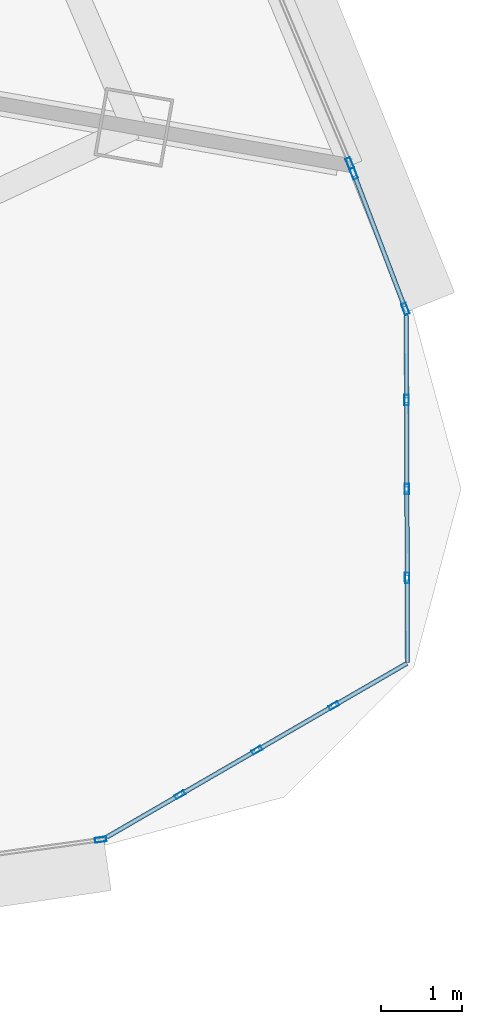
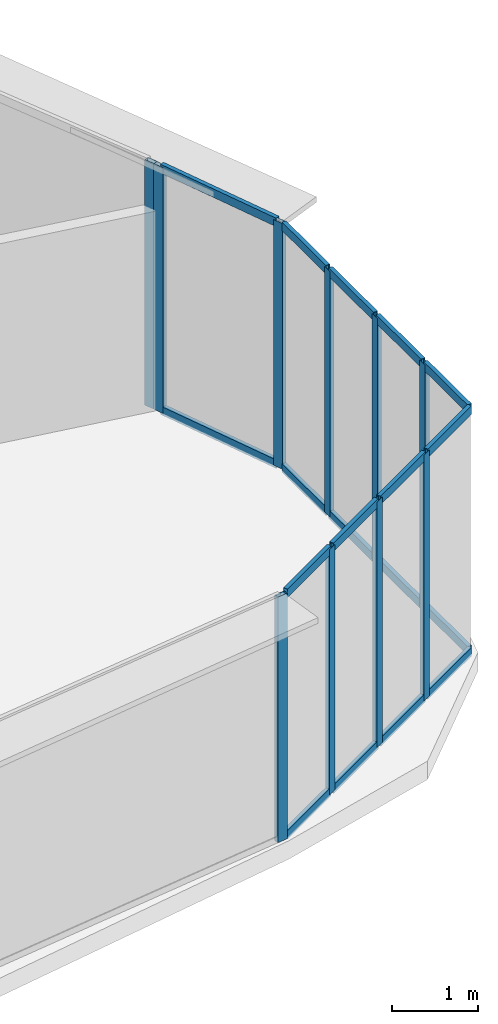
# One storey, part 26 of 36: 28 members, 5 elements without a shape of their own.
"""IFC4 building model written with IfcOpenShell, lengths in metres."""

from ifc_helpers import new_model, si_unit, direction, frame, origin, origin_2d, place, context, subcontext, project, spatial, hollow_rectangle, extrude, source, transform, mapped, material, layer, layer_set, material_profile, profile_set, type_object, element, aggregate, save


model = new_model("IFC4")

# Units and contexts
model_context = context("Model", 3, precision=1e-05, world=origin(), true_north=direction((0.0, 1.0)))
body_context = subcontext(model_context, "Body", "Model", "MODEL_VIEW")
ifc_project = project(units=[si_unit("LENGTHUNIT", "METRE"), si_unit("AREAUNIT", "SQUARE_METRE"), si_unit("VOLUMEUNIT", "CUBIC_METRE"), si_unit("PLANEANGLEUNIT", "RADIAN"), si_unit("MASSUNIT", "GRAM", prefix="KILO"), si_unit("THERMODYNAMICTEMPERATUREUNIT", "KELVIN"), si_unit("POWERUNIT", "WATT")], contexts=[model_context])

# Site, building, storey
site_placement = place(None, origin())
site = spatial("IfcSite", under=ifc_project, at=site_placement, CompositionType="ELEMENT")
building_placement = place(site_placement, origin())
building = spatial("IfcBuilding", under=site, at=building_placement, Name="Yunzhuo Pagoda Commons", CompositionType="ELEMENT")
storey_placement = place(building_placement, frame((0.0, 0.0, 244.530029296875)))
storey = spatial("IfcBuildingStorey", under=building, at=storey_placement, Name="L61", CompositionType="ELEMENT", Elevation=244.530029296875)

# Curtain wall, member
ifc_material = material(Name="Anodized aluminium 6063-T6", Category="aluminium")
ifc_layer_1 = layer(ifc_material, 0.139892578125)
ifc_layer_set_1 = layer_set([ifc_layer_1], Name="Anodized aluminium 6063-T6")
curtain_wall_type_1 = type_object("IfcCurtainWallType", Name="CW-HI High-Zone Ribbon Curtain Wall", PredefinedType="NOTDEFINED", material=ifc_layer_set_1)
curtain_wall_1_placement = place(storey_placement, origin())
curtain_wall_1 = element("IfcCurtainWall", 1, at=curtain_wall_1_placement, inside=storey, type_object=curtain_wall_type_1, Name="L61 curtain wall CW-L61-F1B5", PredefinedType="NOTDEFINED")
ifc_material_profile_1 = material_profile(ifc_material, hollow_rectangle(XDim=0.06005859375, YDim=0.139892578125, WallThickness=0.00341796875, at=origin_2d()), Name="Anodized aluminium 6063-T6")
ifc_profile_set_1 = profile_set([ifc_material_profile_1], Name="Anodized aluminium 6063-T6")
member_type_1 = type_object("IfcMemberType", Name="CW-HI-M Mullion RHS 140x60x3.5", PredefinedType="MULLION", material=ifc_profile_set_1)
shared_shape_1 = source(origin(), body_context, "Body", "SweptSolid", [
    extrude(hollow_rectangle(XDim=0.06005859375, YDim=0.139892578125, WallThickness=0.00341796875, at=origin_2d()), origin(), (0.0, 0.0, 1.0), 3.469970703125),
])
member_1_placement = place(storey_placement, frame((79.5244140625, 19.29833984375, 0.0), z_axis=(0.0, 0.0, 1.0), x_axis=(-0.137250412651, 0.990536382082, 0.0)))
member_1 = element("IfcMember", 2, at=member_1_placement, type_object=member_type_1, Name="CW mullion 2", PredefinedType="MULLION", context=body_context, shape_type="MappedRepresentation", body=[
    mapped(shared_shape_1, transform((0.0, 0.0, 0.0), scale=1.0)),
])
aggregate(curtain_wall_1, [member_1])

curtain_wall_2_placement = place(storey_placement, origin())
curtain_wall_2 = element("IfcCurtainWall", 3, at=curtain_wall_2_placement, inside=storey, type_object=curtain_wall_type_1, Name="L61 curtain wall CW-L61-F2B2", PredefinedType="NOTDEFINED")
member_2_placement = place(storey_placement, frame((82.5927734375, 27.6259765625, 0.0), z_axis=(0.0, 0.0, 1.0), x_axis=(-0.922008372235, -0.387169938824, 0.0)))
member_2 = element("IfcMember", 4, at=member_2_placement, type_object=member_type_1, Name="CW mullion 1", PredefinedType="MULLION", context=body_context, shape_type="MappedRepresentation", body=[
    mapped(shared_shape_1, transform((0.0, 0.0, 0.0), scale=1.0)),
])
aggregate(curtain_wall_2, [member_2])

# Curtain wall, members
curtain_wall_3_placement = place(storey_placement, origin())
curtain_wall_3 = element("IfcCurtainWall", 5, at=curtain_wall_3_placement, inside=storey, type_object=curtain_wall_type_1, Name="L61 curtain wall CW-L61-F2B1", PredefinedType="NOTDEFINED")
member_3_placement = place(storey_placement, frame((83.277099609375, 25.833251953125, 0.0), z_axis=(0.0, 0.0, 1.0), x_axis=(-0.934441330585, -0.356117115139, 0.0)))
member_3 = element("IfcMember", 6, at=member_3_placement, type_object=member_type_1, Name="CW mullion 1", PredefinedType="MULLION", context=body_context, shape_type="MappedRepresentation", body=[
    mapped(shared_shape_1, transform((0.0, 0.0, 0.0), scale=1.0)),
])
member_4_placement = place(storey_placement, frame((82.641845703125, 27.500244140625, 0.0), z_axis=(0.0, 0.0, 1.0), x_axis=(-0.934441330585, -0.356117115139, 0.0)))
member_4 = element("IfcMember", 7, at=member_4_placement, type_object=member_type_1, Name="CW mullion 2", PredefinedType="MULLION", context=body_context, shape_type="MappedRepresentation", body=[
    mapped(shared_shape_1, transform((0.0, 0.0, 0.0), scale=1.0)),
])
ifc_material_profile_2 = material_profile(ifc_material, hollow_rectangle(XDim=0.054931640625, YDim=0.1201171875, WallThickness=0.00341796875, at=origin_2d()), Name="Anodized aluminium 6063-T6")
ifc_profile_set_2 = profile_set([ifc_material_profile_2], Name="Anodized aluminium 6063-T6")
member_type_2 = type_object("IfcMemberType", Name="CW-HI-T Transom RHS 120x55x3.5", PredefinedType="USERDEFINED", material=ifc_profile_set_2)
shared_shape_2 = source(origin(), body_context, "Body", "SweptSolid", [
    extrude(hollow_rectangle(XDim=0.054931640625, YDim=0.1201171875, WallThickness=0.00341796875, at=origin_2d()), origin(), (0.0, 0.0, 1.0), 1.723876953125),
])
member_5_placement = place(storey_placement, frame((83.266357421875, 25.861328125, 0.027587890625), z_axis=(-0.356054221933, 0.934465296864, 0.0), x_axis=(-0.934465296864, -0.356054221933, 0.0)))
member_5 = element("IfcMember", 8, at=member_5_placement, type_object=member_type_2, Name="CW transom 1.1", ObjectType="TRANSOM", PredefinedType="USERDEFINED", context=body_context, shape_type="MappedRepresentation", body=[
    mapped(shared_shape_2, transform((0.0, 0.0, 0.0), scale=1.0)),
])
member_6_placement = place(storey_placement, frame((83.266357421875, 25.861328125, 3.4423828125), z_axis=(-0.356054221933, 0.934465296864, 0.0), x_axis=(-0.934465296864, -0.356054221933, 0.0)))
member_6 = element("IfcMember", 9, at=member_6_placement, type_object=member_type_2, Name="CW transom 1.2", ObjectType="TRANSOM", PredefinedType="USERDEFINED", context=body_context, shape_type="MappedRepresentation", body=[
    mapped(shared_shape_2, transform((0.0, 0.0, 0.0), scale=1.0)),
])
aggregate(curtain_wall_3, [member_3, member_4, member_5, member_6])

ifc_layer_2 = layer(ifc_material, 0.1298828125)
ifc_layer_set_2 = layer_set([ifc_layer_2], Name="Anodized aluminium 6063-T6")
curtain_wall_type_2 = type_object("IfcCurtainWallType", Name="CW-VTX Rounded Corner Curtain Wall", PredefinedType="NOTDEFINED", material=ifc_layer_set_2)
curtain_wall_4_placement = place(storey_placement, origin())
curtain_wall_4 = element("IfcCurtainWall", 10, at=curtain_wall_4_placement, inside=storey, type_object=curtain_wall_type_2, Name="L61 curtain wall CW-L61-VTX2S1", PredefinedType="NOTDEFINED")
ifc_material_profile_3 = material_profile(ifc_material, hollow_rectangle(XDim=0.054931640625, YDim=0.1201171875, WallThickness=0.00341796875, at=origin_2d()), Name="Anodized aluminium 6063-T6")
ifc_profile_set_3 = profile_set([ifc_material_profile_3], Name="Anodized aluminium 6063-T6")
member_type_3 = type_object("IfcMemberType", Name="CW-VTX-T Transom RHS 120x55x3.5", PredefinedType="USERDEFINED", material=ifc_profile_set_3)
shared_shape_3 = source(origin(), body_context, "Body", "SweptSolid", [
    extrude(hollow_rectangle(XDim=0.054931640625, YDim=0.1201171875, WallThickness=0.00341796875, at=origin_2d()), origin(), (0.0, 0.0, 1.0), 1.011962890625),
])
member_7_placement = place(storey_placement, frame((79.601806640625, 19.330078125, 0.027587890625), z_axis=(0.865393248242, 0.501093330526, 0.0), x_axis=(-0.501093330526, 0.865393248242, 0.0)))
member_7 = element("IfcMember", 11, at=member_7_placement, type_object=member_type_3, Name="CW transom 1.1", ObjectType="TRANSOM", PredefinedType="USERDEFINED", context=body_context, shape_type="MappedRepresentation", body=[
    mapped(shared_shape_3, transform((0.0, 0.0, 0.0), scale=1.0)),
])
member_8_placement = place(storey_placement, frame((79.601806640625, 19.330078125, 3.4423828125), z_axis=(0.865393248242, 0.501093330526, 0.0), x_axis=(-0.501093330526, 0.865393248242, 0.0)))
member_8 = element("IfcMember", 12, at=member_8_placement, type_object=member_type_3, Name="CW transom 1.2", ObjectType="TRANSOM", PredefinedType="USERDEFINED", context=body_context, shape_type="MappedRepresentation", body=[
    mapped(shared_shape_3, transform((0.0, 0.0, 0.0), scale=1.0)),
])

curtain_wall_5_placement = place(storey_placement, origin())
curtain_wall_5 = element("IfcCurtainWall", 13, at=curtain_wall_5_placement, inside=storey, type_object=curtain_wall_type_2, Name="L61 curtain wall CW-L61-VTX2S2", PredefinedType="NOTDEFINED")
member_9_placement = place(storey_placement, frame((83.291748046875, 24.73828125, 0.027587890625), z_axis=(-0.003618794157, 0.999993452143, 0.0), x_axis=(-0.999993452143, -0.003618794157, 0.0)))
member_9 = element("IfcMember", 14, at=member_9_placement, type_object=member_type_3, Name="CW transom 4.1", ObjectType="TRANSOM", PredefinedType="USERDEFINED", context=body_context, shape_type="MappedRepresentation", body=[
    mapped(shared_shape_3, transform((0.0, 0.0, 0.0), scale=1.0)),
])
member_10_placement = place(storey_placement, frame((83.291748046875, 24.73828125, 3.4423828125), z_axis=(-0.003618794157, 0.999993452143, 0.0), x_axis=(-0.999993452143, -0.003618794157, 0.0)))
member_10 = element("IfcMember", 15, at=member_10_placement, type_object=member_type_3, Name="CW transom 4.2", ObjectType="TRANSOM", PredefinedType="USERDEFINED", context=body_context, shape_type="MappedRepresentation", body=[
    mapped(shared_shape_3, transform((0.0, 0.0, 0.0), scale=1.0)),
])

# Member
shared_shape_4 = source(origin(), body_context, "Body", "SweptSolid", [
    extrude(hollow_rectangle(XDim=0.054931640625, YDim=0.1201171875, WallThickness=0.00341796875, at=origin_2d()), origin(), (0.0, 0.0, 1.0), 1.039794921875),
])
member_11_placement = place(storey_placement, frame((81.47265625, 20.4130859375, 0.027587890625), z_axis=(0.865426285481, 0.501036270542, 0.0), x_axis=(-0.501036270542, 0.865426285481, 0.0)))
member_11 = element("IfcMember", 16, at=member_11_placement, type_object=member_type_3, Name="CW transom 3.1", ObjectType="TRANSOM", PredefinedType="USERDEFINED", context=body_context, shape_type="MappedRepresentation", body=[
    mapped(shared_shape_4, transform((0.0, 0.0, 0.0), scale=1.0)),
])

member_12_placement = place(storey_placement, frame((81.47265625, 20.4130859375, 3.4423828125), z_axis=(0.865426285481, 0.501036270542, 0.0), x_axis=(-0.501036270542, 0.865426285481, 0.0)))
member_12 = element("IfcMember", 17, at=member_12_placement, type_object=member_type_3, Name="CW transom 3.2", ObjectType="TRANSOM", PredefinedType="USERDEFINED", context=body_context, shape_type="MappedRepresentation", body=[
    mapped(shared_shape_4, transform((0.0, 0.0, 0.0), scale=1.0)),
])

member_13_placement = place(storey_placement, frame((83.2998046875, 22.548828125, 0.027587890625), z_axis=(-0.003991515514, 0.99999203387, 0.0), x_axis=(-0.99999203387, -0.003991515514, 0.0)))
member_13 = element("IfcMember", 18, at=member_13_placement, type_object=member_type_3, Name="CW transom 2.1", ObjectType="TRANSOM", PredefinedType="USERDEFINED", context=body_context, shape_type="MappedRepresentation", body=[
    mapped(shared_shape_4, transform((0.0, 0.0, 0.0), scale=1.0)),
])

member_14_placement = place(storey_placement, frame((83.2998046875, 22.548828125, 3.4423828125), z_axis=(-0.003991515514, 0.99999203387, 0.0), x_axis=(-0.99999203387, -0.003991515514, 0.0)))
member_14 = element("IfcMember", 19, at=member_14_placement, type_object=member_type_3, Name="CW transom 2.2", ObjectType="TRANSOM", PredefinedType="USERDEFINED", context=body_context, shape_type="MappedRepresentation", body=[
    mapped(shared_shape_4, transform((0.0, 0.0, 0.0), scale=1.0)),
])

member_15_placement = place(storey_placement, frame((83.295654296875, 23.6435546875, 0.027587890625), z_axis=(-0.003756723901, 0.999992943488, 0.0), x_axis=(-0.999992943488, -0.003756723901, 0.0)))
member_15 = element("IfcMember", 20, at=member_15_placement, type_object=member_type_3, Name="CW transom 3.1", ObjectType="TRANSOM", PredefinedType="USERDEFINED", context=body_context, shape_type="MappedRepresentation", body=[
    mapped(shared_shape_4, transform((0.0, 0.0, 0.0), scale=1.0)),
])

member_16_placement = place(storey_placement, frame((83.295654296875, 23.6435546875, 3.4423828125), z_axis=(-0.003756723901, 0.999992943488, 0.0), x_axis=(-0.999992943488, -0.003756723901, 0.0)))
member_16 = element("IfcMember", 21, at=member_16_placement, type_object=member_type_3, Name="CW transom 3.2", ObjectType="TRANSOM", PredefinedType="USERDEFINED", context=body_context, shape_type="MappedRepresentation", body=[
    mapped(shared_shape_4, transform((0.0, 0.0, 0.0), scale=1.0)),
])

shared_shape_5 = source(origin(), body_context, "Body", "SweptSolid", [
    extrude(hollow_rectangle(XDim=0.054931640625, YDim=0.1201171875, WallThickness=0.00341796875, at=origin_2d()), origin(), (0.0, 0.0, 1.0), 1.01220703125),
])
member_17_placement = place(storey_placement, frame((82.419921875, 20.961669921875, 0.027587890625), z_axis=(0.865453807894, 0.500988728817, 0.0), x_axis=(-0.500988728817, 0.865453807894, 0.0)))
member_17 = element("IfcMember", 22, at=member_17_placement, type_object=member_type_3, Name="CW transom 4.1", ObjectType="TRANSOM", PredefinedType="USERDEFINED", context=body_context, shape_type="MappedRepresentation", body=[
    mapped(shared_shape_5, transform((0.0, 0.0, 0.0), scale=1.0)),
])

member_18_placement = place(storey_placement, frame((82.419921875, 20.961669921875, 3.4423828125), z_axis=(0.865453807894, 0.500988728817, 0.0), x_axis=(-0.500988728817, 0.865453807894, 0.0)))
member_18 = element("IfcMember", 23, at=member_18_placement, type_object=member_type_3, Name="CW transom 4.2", ObjectType="TRANSOM", PredefinedType="USERDEFINED", context=body_context, shape_type="MappedRepresentation", body=[
    mapped(shared_shape_5, transform((0.0, 0.0, 0.0), scale=1.0)),
])

member_19_placement = place(storey_placement, frame((83.30322265625, 21.48193359375, 0.027587890625), z_axis=(-0.003376729422, 0.999994298833, 0.0), x_axis=(-0.999994298833, -0.003376729422, 0.0)))
member_19 = element("IfcMember", 24, at=member_19_placement, type_object=member_type_3, Name="CW transom 1.1", ObjectType="TRANSOM", PredefinedType="USERDEFINED", context=body_context, shape_type="MappedRepresentation", body=[
    mapped(shared_shape_5, transform((0.0, 0.0, 0.0), scale=1.0)),
])

member_20_placement = place(storey_placement, frame((83.30322265625, 21.48193359375, 3.4423828125), z_axis=(-0.003376729422, 0.999994298833, 0.0), x_axis=(-0.999994298833, -0.003376729422, 0.0)))
member_20 = element("IfcMember", 25, at=member_20_placement, type_object=member_type_3, Name="CW transom 1.2", ObjectType="TRANSOM", PredefinedType="USERDEFINED", context=body_context, shape_type="MappedRepresentation", body=[
    mapped(shared_shape_5, transform((0.0, 0.0, 0.0), scale=1.0)),
])

shared_shape_6 = source(origin(), body_context, "Body", "SweptSolid", [
    extrude(hollow_rectangle(XDim=0.054931640625, YDim=0.1201171875, WallThickness=0.00341796875, at=origin_2d()), origin(), (0.0, 0.0, 1.0), 1.03955078125),
])
member_21_placement = place(storey_placement, frame((80.525390625, 19.86474609375, 0.027587890625), z_axis=(0.865367327112, 0.50113809391, 0.0), x_axis=(-0.50113809391, 0.865367327112, 0.0)))
member_21 = element("IfcMember", 26, at=member_21_placement, type_object=member_type_3, Name="CW transom 2.1", ObjectType="TRANSOM", PredefinedType="USERDEFINED", context=body_context, shape_type="MappedRepresentation", body=[
    mapped(shared_shape_6, transform((0.0, 0.0, 0.0), scale=1.0)),
])

member_22_placement = place(storey_placement, frame((80.525390625, 19.86474609375, 3.4423828125), z_axis=(0.865367327112, 0.50113809391, 0.0), x_axis=(-0.50113809391, 0.865367327112, 0.0)))
member_22 = element("IfcMember", 27, at=member_22_placement, type_object=member_type_3, Name="CW transom 2.2", ObjectType="TRANSOM", PredefinedType="USERDEFINED", context=body_context, shape_type="MappedRepresentation", body=[
    mapped(shared_shape_6, transform((0.0, 0.0, 0.0), scale=1.0)),
])

ifc_material_profile_4 = material_profile(ifc_material, hollow_rectangle(XDim=0.054931640625, YDim=0.1298828125, WallThickness=0.00341796875, at=origin_2d()), Name="Anodized aluminium 6063-T6")
ifc_profile_set_4 = profile_set([ifc_material_profile_4], Name="Anodized aluminium 6063-T6")
member_type_4 = type_object("IfcMemberType", Name="CW-VTX-M Mullion RHS 130x55x3.5", PredefinedType="MULLION", material=ifc_profile_set_4)
shared_shape_7 = source(origin(), body_context, "Body", "SweptSolid", [
    extrude(hollow_rectangle(XDim=0.054931640625, YDim=0.1298828125, WallThickness=0.00341796875, at=origin_2d()), origin(), (0.0, 0.0, 1.0), 3.469970703125),
])
member_23_placement = place(storey_placement, frame((80.50146484375, 19.850830078125, 0.0), z_axis=(0.0, 0.0, 1.0), x_axis=(-0.501035370268, 0.865426806692, 0.0)))
member_23 = element("IfcMember", 28, at=member_23_placement, type_object=member_type_4, Name="CW mullion 2", PredefinedType="MULLION", context=body_context, shape_type="MappedRepresentation", body=[
    mapped(shared_shape_7, transform((0.0, 0.0, 0.0), scale=1.0)),
])

member_24_placement = place(storey_placement, frame((81.448974609375, 20.3994140625, 0.0), z_axis=(0.0, 0.0, 1.0), x_axis=(-0.501035370268, 0.865426806692, 0.0)))
member_24 = element("IfcMember", 29, at=member_24_placement, type_object=member_type_4, Name="CW mullion 3", PredefinedType="MULLION", context=body_context, shape_type="MappedRepresentation", body=[
    mapped(shared_shape_7, transform((0.0, 0.0, 0.0), scale=1.0)),
])

member_25_placement = place(storey_placement, frame((82.39599609375, 20.94775390625, 0.0), z_axis=(0.0, 0.0, 1.0), x_axis=(-0.501035370268, 0.865426806692, 0.0)))
member_25 = element("IfcMember", 30, at=member_25_placement, type_object=member_type_4, Name="CW mullion 4", PredefinedType="MULLION", context=body_context, shape_type="MappedRepresentation", body=[
    mapped(shared_shape_7, transform((0.0, 0.0, 0.0), scale=1.0)),
])

aggregate(curtain_wall_4, [member_23, member_24, member_25, member_7, member_8, member_21, member_22, member_11, member_12, member_17, member_18])

member_26_placement = place(storey_placement, frame((83.2998046875, 22.521484375, 0.0), z_axis=(0.0, 0.0, 1.0), x_axis=(-0.999993571429, -0.003585679809, 0.0)))
member_26 = element("IfcMember", 31, at=member_26_placement, type_object=member_type_4, Name="CW mullion 2", PredefinedType="MULLION", context=body_context, shape_type="MappedRepresentation", body=[
    mapped(shared_shape_7, transform((0.0, 0.0, 0.0), scale=1.0)),
])

member_27_placement = place(storey_placement, frame((83.295654296875, 23.615966796875, 0.0), z_axis=(0.0, 0.0, 1.0), x_axis=(-0.999993571429, -0.003585679809, 0.0)))
member_27 = element("IfcMember", 32, at=member_27_placement, type_object=member_type_4, Name="CW mullion 3", PredefinedType="MULLION", context=body_context, shape_type="MappedRepresentation", body=[
    mapped(shared_shape_7, transform((0.0, 0.0, 0.0), scale=1.0)),
])

member_28_placement = place(storey_placement, frame((83.291748046875, 24.710693359375, 0.0), z_axis=(0.0, 0.0, 1.0), x_axis=(-0.999993571429, -0.003585679809, 0.0)))
member_28 = element("IfcMember", 33, at=member_28_placement, type_object=member_type_4, Name="CW mullion 4", PredefinedType="MULLION", context=body_context, shape_type="MappedRepresentation", body=[
    mapped(shared_shape_7, transform((0.0, 0.0, 0.0), scale=1.0)),
])

aggregate(curtain_wall_5, [member_26, member_27, member_28, member_19, member_20, member_13, member_14, member_15, member_16, member_9, member_10])

save(model, "model.ifc")
